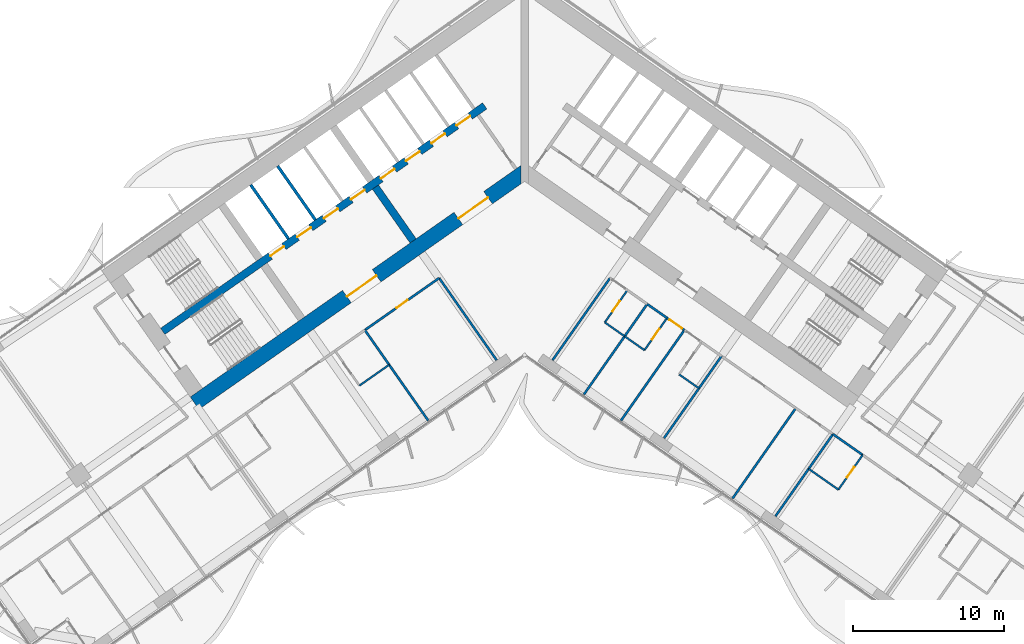
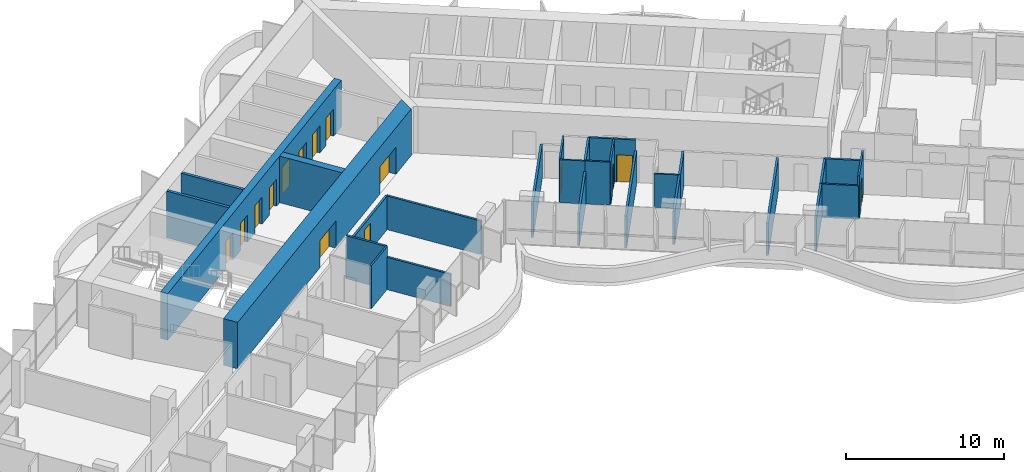
# One storey, part 13 of 23: 29 walls, 15 doors, 15 openings.
"""IFC4 building model written with IfcOpenShell, lengths in metres."""

from ifc_helpers import new_model, si_unit, direction, frame, frame_2d, origin, place, context, subcontext, project, spatial, polyline, rectangle, outline, extrude, material, layer, layer_set, type_object, element, fill, save


model = new_model("IFC4")

# Units and contexts
model_context = context("Model", 3, precision=1e-05, world=origin(), true_north=direction((0.0, 1.0)))
body_context = subcontext(model_context, "Body", "Model", "MODEL_VIEW")
ifc_project = project(units=[si_unit("LENGTHUNIT", "METRE"), si_unit("AREAUNIT", "SQUARE_METRE"), si_unit("VOLUMEUNIT", "CUBIC_METRE"), si_unit("PLANEANGLEUNIT", "RADIAN"), si_unit("MASSUNIT", "GRAM", prefix="KILO")], contexts=[model_context])

# Site, building, storey
site_placement = place(None, origin())
site = spatial("IfcSite", under=ifc_project, at=site_placement, CompositionType="ELEMENT")
building_placement = place(site_placement, origin())
building = spatial("IfcBuilding", under=site, at=building_placement, Name="Tel Ilan Convention Tower", CompositionType="ELEMENT")
storey_placement = place(building_placement, frame((0.0, 0.0, 115.699951171875)))
storey = spatial("IfcBuildingStorey", under=building, at=storey_placement, Name="L25", CompositionType="ELEMENT", Elevation=115.699951171875)

# Wall, openings, doors
ifc_material_1 = material(Name="Concrete C60/75", Category="concrete")
ifc_layer_1 = layer(ifc_material_1, 1.0)
ifc_layer_set_1 = layer_set([ifc_layer_1], Name="Core Shear Wall 1000 mm C60/75")
wall_type_1 = type_object("IfcWallType", Name="Core Shear Wall 1000 mm C60/75", PredefinedType="SHEAR", material=ifc_layer_set_1)
wall_1_placement = place(storey_placement, frame((0.036865234375, -0.584716796875, 0.0), z_axis=(0.0, 0.0, 1.0), x_axis=(-0.819157152511, -0.573569140985, 0.0)))
wall_1 = element("IfcWall", 1, at=wall_1_placement, inside=storey, type_object=wall_type_1, Name="L25 core wall W-front", PredefinedType="SHEAR", context=body_context, shape_type="SweptSolid", body=[
    extrude(outline(polyline([(26.69482421875, 0.500244140625), (0.7001953125, 0.499755859375), (0.0, -0.5), (26.69482421875, -0.499755859375), (26.69482421875, 0.500244140625)])), origin(), (0.0, 0.0, 1.0), 3.60009765625),
])
opening_1_placement = place(wall_1_placement, frame((2.994873046875, 0.0, 0.0)))
opening_1 = element("IfcOpeningElement", 2, at=opening_1_placement, cuts=wall_1, Name="Opening CD2005", PredefinedType="OPENING", context=body_context, shape_type="SweptSolid", body=[
    extrude(rectangle(XDim=2.39990234375, YDim=2.10009765625, at=frame_2d((1.199951171875, 1.050048828125))), frame((0.0, 0.510009765625, 0.0), z_axis=(0.0, -1.0, 0.0), x_axis=(1.0, 0.0, 0.0)), (0.0, 0.0, 1.0), 1.02001953125),
])
opening_2_placement = place(wall_1_placement, frame((11.994873046875, 0.0, 0.0)))
opening_2 = element("IfcOpeningElement", 3, at=opening_2_placement, cuts=wall_1, Name="Opening CD2006", PredefinedType="OPENING", context=body_context, shape_type="SweptSolid", body=[
    extrude(rectangle(XDim=2.39990234375, YDim=2.10009765625, at=frame_2d((1.199951171875, 1.050048828125))), frame((0.0, 0.510009765625, 0.0), z_axis=(0.0, -1.0, 0.0), x_axis=(1.0, 0.0, 0.0)), (0.0, 0.0, 1.0), 1.02001953125),
])
ifc_material_2 = material(Name="Glazed Aluminium Door Leaf", Category="aluminium")
door_type_1 = type_object("IfcDoorType", Name="Lobby Opening Door 2400 x 2100 FD60S", OperationType="NOTDEFINED", PredefinedType="DOOR", material=ifc_material_2)
door_1_placement = place(opening_1_placement, origin())
door_1 = element("IfcDoor", 4, at=door_1_placement, inside=storey, type_object=door_type_1, Name="Lift Lobby LR1-LR4 opening", OperationType="DOUBLE_DOOR_SINGLE_SWING", OverallHeight=2.10009765625, OverallWidth=2.39990234375, PredefinedType="DOOR", context=body_context, shape_type="SweptSolid", body=[
    extrude(rectangle(XDim=2.39990234375, YDim=2.10009765625, at=frame_2d((1.199951171875, 1.050048828125))), frame((0.0, 0.02490234375, 0.0), z_axis=(0.0, -1.0, 0.0), x_axis=(1.0, 0.0, 0.0)), (0.0, 0.0, 1.0), 0.050048828125),
])
fill(opening_1, door_1)
door_2_placement = place(opening_2_placement, origin())
door_2 = element("IfcDoor", 5, at=door_2_placement, inside=storey, type_object=door_type_1, Name="Lift Lobby LR5-LR8 opening", OperationType="DOUBLE_DOOR_SINGLE_SWING", OverallHeight=2.10009765625, OverallWidth=2.39990234375, PredefinedType="DOOR", context=body_context, shape_type="SweptSolid", body=[
    extrude(rectangle(XDim=2.39990234375, YDim=2.10009765625, at=frame_2d((1.199951171875, 1.050048828125))), frame((0.0, 0.02490234375, 0.0), z_axis=(0.0, -1.0, 0.0), x_axis=(1.0, 0.0, 0.0)), (0.0, 0.0, 1.0), 0.050048828125),
])
fill(opening_2, door_2)

# Wall
ifc_material_3 = material(Name="Concrete C60/75", Category="concrete")
ifc_layer_2 = layer(ifc_material_3, 0.5)
ifc_layer_set_2 = layer_set([ifc_layer_2], Name="Core Shear Wall 500 mm C60/75")
wall_type_2 = type_object("IfcWallType", Name="Core Shear Wall 500 mm C60/75", PredefinedType="SHEAR", material=ifc_layer_set_2)
wall_2_placement = place(storey_placement, frame((-7.372314453125, -5.162109375, 0.0), z_axis=(0.0, 0.0, 1.0), x_axis=(-0.573594173421, 0.819139624372, 0.0)))
element("IfcWall", 6, at=wall_2_placement, inside=storey, type_object=wall_type_2, Name="L25 core wall W-cross1-1", PredefinedType="SHEAR", context=body_context, shape_type="SweptSolid", body=[
    extrude(outline(polyline([(4.349853515625, 0.25), (0.0, 0.250244140625), (0.0, -0.25), (4.349853515625, -0.25), (4.349853515625, 0.25)])), origin(), (0.0, 0.0, 1.0), 3.60009765625),
])

# Wall, openings, doors
wall_3_placement = place(storey_placement, frame((-2.638427734375, 3.76806640625, 0.0), z_axis=(0.0, 0.0, 1.0), x_axis=(-0.819148977158, -0.573580816643, 0.0)))
wall_3 = element("IfcWall", 7, at=wall_3_placement, inside=storey, type_object=wall_type_2, Name="L25 core wall W-spine", PredefinedType="SHEAR", context=body_context, shape_type="SweptSolid", body=[
    extrude(outline(polyline([(26.0, 0.249755859375), (0.0, 0.25), (0.0, -0.25), (26.0, -0.250244140625), (26.0, 0.249755859375)])), origin(), (0.0, 0.0, 1.0), 3.60009765625),
])
opening_3_placement = place(wall_3_placement, frame((1.168701171875, 0.0, 0.0)))
opening_3 = element("IfcOpeningElement", 8, at=opening_3_placement, cuts=wall_3, Name="Opening LD2004", PredefinedType="OPENING", context=body_context, shape_type="SweptSolid", body=[
    extrude(rectangle(XDim=1.10009765625, YDim=2.10009765625, at=frame_2d((0.550048828125, 1.050048828125))), frame((0.0, 0.260009765625, 0.0), z_axis=(0.0, -1.0, 0.0), x_axis=(1.0, 0.0, 0.0)), (0.0, 0.0, 1.0), 0.52001953125),
])
opening_4_placement = place(wall_3_placement, frame((3.206298828125, 0.0, 0.0)))
opening_4 = element("IfcOpeningElement", 9, at=opening_4_placement, cuts=wall_3, Name="Opening LD2005", PredefinedType="OPENING", context=body_context, shape_type="SweptSolid", body=[
    extrude(rectangle(XDim=1.10009765625, YDim=2.10009765625, at=frame_2d((0.550048828125, 1.050048828125))), frame((0.0, 0.260009765625, 0.0), z_axis=(0.0, -1.0, 0.0), x_axis=(1.0, 0.0, 0.0)), (0.0, 0.0, 1.0), 0.52001953125),
])
opening_5_placement = place(wall_3_placement, frame((5.24365234375, 0.0, 0.0)))
opening_5 = element("IfcOpeningElement", 10, at=opening_5_placement, cuts=wall_3, Name="Opening LD2006", PredefinedType="OPENING", context=body_context, shape_type="SweptSolid", body=[
    extrude(rectangle(XDim=1.10009765625, YDim=2.10009765625, at=frame_2d((0.550048828125, 1.050048828125))), frame((0.0, 0.260009765625, 0.0), z_axis=(0.0, -1.0, 0.0), x_axis=(1.0, 0.0, 0.0)), (0.0, 0.0, 1.0), 0.52001953125),
])
opening_6_placement = place(wall_3_placement, frame((7.28125, 0.0, 0.0)))
opening_6 = element("IfcOpeningElement", 11, at=opening_6_placement, cuts=wall_3, Name="Opening LD2007", PredefinedType="OPENING", context=body_context, shape_type="SweptSolid", body=[
    extrude(rectangle(XDim=1.10009765625, YDim=2.10009765625, at=frame_2d((0.550048828125, 1.050048828125))), frame((0.0, 0.260009765625, 0.0), z_axis=(0.0, -1.0, 0.0), x_axis=(1.0, 0.0, 0.0)), (0.0, 0.0, 1.0), 0.52001953125),
])
opening_7_placement = place(wall_3_placement, frame((9.6875, 0.0, 0.0)))
opening_7 = element("IfcOpeningElement", 12, at=opening_7_placement, cuts=wall_3, Name="Opening LD2008", PredefinedType="OPENING", context=body_context, shape_type="SweptSolid", body=[
    extrude(rectangle(XDim=1.10009765625, YDim=2.10009765625, at=frame_2d((0.550048828125, 1.050048828125))), frame((0.0, 0.260009765625, 0.0), z_axis=(0.0, -1.0, 0.0), x_axis=(1.0, 0.0, 0.0)), (0.0, 0.0, 1.0), 0.52001953125),
])
opening_8_placement = place(wall_3_placement, frame((11.862548828125, 0.0, 0.0)))
opening_8 = element("IfcOpeningElement", 13, at=opening_8_placement, cuts=wall_3, Name="Opening LD2009", PredefinedType="OPENING", context=body_context, shape_type="SweptSolid", body=[
    extrude(rectangle(XDim=1.10009765625, YDim=2.10009765625, at=frame_2d((0.550048828125, 1.050048828125))), frame((0.0, 0.260009765625, 0.0), z_axis=(0.0, -1.0, 0.0), x_axis=(1.0, 0.0, 0.0)), (0.0, 0.0, 1.0), 0.52001953125),
])
opening_9_placement = place(wall_3_placement, frame((14.03759765625, 0.0, 0.0)))
opening_9 = element("IfcOpeningElement", 14, at=opening_9_placement, cuts=wall_3, Name="Opening LD2010", PredefinedType="OPENING", context=body_context, shape_type="SweptSolid", body=[
    extrude(rectangle(XDim=1.10009765625, YDim=2.10009765625, at=frame_2d((0.550048828125, 1.050048828125))), frame((0.0, 0.260009765625, 0.0), z_axis=(0.0, -1.0, 0.0), x_axis=(1.0, 0.0, 0.0)), (0.0, 0.0, 1.0), 0.52001953125),
])
opening_10_placement = place(wall_3_placement, frame((16.21240234375, 0.0, 0.0)))
opening_10 = element("IfcOpeningElement", 15, at=opening_10_placement, cuts=wall_3, Name="Opening LD2011", PredefinedType="OPENING", context=body_context, shape_type="SweptSolid", body=[
    extrude(rectangle(XDim=1.10009765625, YDim=2.10009765625, at=frame_2d((0.550048828125, 1.050048828125))), frame((0.0, 0.260009765625, 0.0), z_axis=(0.0, -1.0, 0.0), x_axis=(1.0, 0.0, 0.0)), (0.0, 0.0, 1.0), 0.52001953125),
])
ifc_material_4 = material(Name="Stainless Steel Sliding Door Leaf", Category="steel")
door_type_2 = type_object("IfcDoorType", Name="Lift Landing Door 1100 x 2100 FD120", OperationType="NOTDEFINED", PredefinedType="DOOR", material=ifc_material_4)
door_3_placement = place(opening_3_placement, origin())
door_3 = element("IfcDoor", 16, at=door_3_placement, inside=storey, type_object=door_type_2, Name="Lift LR1 landing door", OperationType="SLIDING_TO_LEFT", OverallHeight=2.10009765625, OverallWidth=1.10009765625, PredefinedType="DOOR", context=body_context, shape_type="SweptSolid", body=[
    extrude(rectangle(XDim=1.10009765625, YDim=2.10009765625, at=frame_2d((0.550048828125, 1.050048828125))), frame((0.0, 0.02490234375, 0.0), z_axis=(0.0, -1.0, 0.0), x_axis=(1.0, 0.0, 0.0)), (0.0, 0.0, 1.0), 0.050048828125),
])
fill(opening_3, door_3)
door_4_placement = place(opening_4_placement, origin())
door_4 = element("IfcDoor", 17, at=door_4_placement, inside=storey, type_object=door_type_2, Name="Lift LR2 landing door", OperationType="SLIDING_TO_RIGHT", OverallHeight=2.10009765625, OverallWidth=1.10009765625, PredefinedType="DOOR", context=body_context, shape_type="SweptSolid", body=[
    extrude(rectangle(XDim=1.10009765625, YDim=2.10009765625, at=frame_2d((0.550048828125, 1.050048828125))), frame((0.0, 0.02490234375, 0.0), z_axis=(0.0, -1.0, 0.0), x_axis=(1.0, 0.0, 0.0)), (0.0, 0.0, 1.0), 0.050048828125),
])
fill(opening_4, door_4)
door_5_placement = place(opening_5_placement, origin())
door_5 = element("IfcDoor", 18, at=door_5_placement, inside=storey, type_object=door_type_2, Name="Lift LR3 landing door", OperationType="SLIDING_TO_LEFT", OverallHeight=2.10009765625, OverallWidth=1.10009765625, PredefinedType="DOOR", context=body_context, shape_type="SweptSolid", body=[
    extrude(rectangle(XDim=1.10009765625, YDim=2.10009765625, at=frame_2d((0.550048828125, 1.050048828125))), frame((0.0, 0.02490234375, 0.0), z_axis=(0.0, -1.0, 0.0), x_axis=(1.0, 0.0, 0.0)), (0.0, 0.0, 1.0), 0.050048828125),
])
fill(opening_5, door_5)
door_6_placement = place(opening_6_placement, origin())
door_6 = element("IfcDoor", 19, at=door_6_placement, inside=storey, type_object=door_type_2, Name="Lift LR4 landing door", OperationType="SLIDING_TO_RIGHT", OverallHeight=2.10009765625, OverallWidth=1.10009765625, PredefinedType="DOOR", context=body_context, shape_type="SweptSolid", body=[
    extrude(rectangle(XDim=1.10009765625, YDim=2.10009765625, at=frame_2d((0.550048828125, 1.050048828125))), frame((0.0, 0.02490234375, 0.0), z_axis=(0.0, -1.0, 0.0), x_axis=(1.0, 0.0, 0.0)), (0.0, 0.0, 1.0), 0.050048828125),
])
fill(opening_6, door_6)
door_7_placement = place(opening_7_placement, origin())
door_7 = element("IfcDoor", 20, at=door_7_placement, inside=storey, type_object=door_type_2, Name="Lift LR5 landing door", OperationType="SLIDING_TO_LEFT", OverallHeight=2.10009765625, OverallWidth=1.10009765625, PredefinedType="DOOR", context=body_context, shape_type="SweptSolid", body=[
    extrude(rectangle(XDim=1.10009765625, YDim=2.10009765625, at=frame_2d((0.550048828125, 1.050048828125))), frame((0.0, 0.02490234375, 0.0), z_axis=(0.0, -1.0, 0.0), x_axis=(1.0, 0.0, 0.0)), (0.0, 0.0, 1.0), 0.050048828125),
])
fill(opening_7, door_7)
door_8_placement = place(opening_8_placement, origin())
door_8 = element("IfcDoor", 21, at=door_8_placement, inside=storey, type_object=door_type_2, Name="Lift LR6 landing door", OperationType="SLIDING_TO_RIGHT", OverallHeight=2.10009765625, OverallWidth=1.10009765625, PredefinedType="DOOR", context=body_context, shape_type="SweptSolid", body=[
    extrude(rectangle(XDim=1.10009765625, YDim=2.10009765625, at=frame_2d((0.550048828125, 1.050048828125))), frame((0.0, 0.02490234375, 0.0), z_axis=(0.0, -1.0, 0.0), x_axis=(1.0, 0.0, 0.0)), (0.0, 0.0, 1.0), 0.050048828125),
])
fill(opening_8, door_8)
door_9_placement = place(opening_9_placement, origin())
door_9 = element("IfcDoor", 22, at=door_9_placement, inside=storey, type_object=door_type_2, Name="Lift LR7 landing door", OperationType="SLIDING_TO_LEFT", OverallHeight=2.10009765625, OverallWidth=1.10009765625, PredefinedType="DOOR", context=body_context, shape_type="SweptSolid", body=[
    extrude(rectangle(XDim=1.10009765625, YDim=2.10009765625, at=frame_2d((0.550048828125, 1.050048828125))), frame((0.0, 0.02490234375, 0.0), z_axis=(0.0, -1.0, 0.0), x_axis=(1.0, 0.0, 0.0)), (0.0, 0.0, 1.0), 0.050048828125),
])
fill(opening_9, door_9)
door_10_placement = place(opening_10_placement, origin())
door_10 = element("IfcDoor", 23, at=door_10_placement, inside=storey, type_object=door_type_2, Name="Lift LR8 landing door", OperationType="SLIDING_TO_RIGHT", OverallHeight=2.10009765625, OverallWidth=1.10009765625, PredefinedType="DOOR", context=body_context, shape_type="SweptSolid", body=[
    extrude(rectangle(XDim=1.10009765625, YDim=2.10009765625, at=frame_2d((0.550048828125, 1.050048828125))), frame((0.0, 0.02490234375, 0.0), z_axis=(0.0, -1.0, 0.0), x_axis=(1.0, 0.0, 0.0)), (0.0, 0.0, 1.0), 0.050048828125),
])
fill(opening_10, door_10)

# Wall, opening, door
ifc_material_5 = material(Name="Plasterboard on Steel Studs", Category="steel")
ifc_layer_3 = layer(ifc_material_5, 0.14990234375)
ifc_layer_set_3 = layer_set([ifc_layer_3], Name="Fire-rated Partition 150 EI 60")
wall_type_3 = type_object("IfcWallType", Name="Fire-rated Partition 150 EI 60", PredefinedType="PARTITIONING", material=ifc_layer_set_3)
wall_4_placement = place(storey_placement, frame((10.568115234375, -11.062255859375, 0.0), z_axis=(0.0, 0.0, 1.0), x_axis=(-0.81914197737, 0.573590813132, 0.0)))
wall_4 = element("IfcWall", 24, at=wall_4_placement, inside=storey, type_object=wall_type_3, Name="Partition 009", PredefinedType="PARTITIONING", context=body_context, shape_type="SweptSolid", body=[
    extrude(rectangle(XDim=1.40283203125, YDim=0.14990234375, at=frame_2d((0.701416015625, 0.0))), origin(), (0.0, 0.0, 1.0), 3.320068359375),
])
opening_11_placement = place(wall_4_placement, frame((0.201904296875, 0.0, 0.0)))
opening_11 = element("IfcOpeningElement", 25, at=opening_11_placement, cuts=wall_4, Name="Opening L24-016", PredefinedType="OPENING", context=body_context, shape_type="SweptSolid", body=[
    extrude(rectangle(XDim=1.0, YDim=2.10009765625, at=frame_2d((0.5, 1.050048828125))), frame((0.0, 0.0849609375, 0.0), z_axis=(0.0, -1.0, 0.0), x_axis=(1.0, 0.0, 0.0)), (0.0, 0.0, 1.0), 0.169921875),
])
ifc_material_6 = material(Name="Timber Door Leaf in Steel Frame", Category="steel")
door_type_3 = type_object("IfcDoorType", Name="Hotel Room Entrance Fire Door 1000x2100", OperationType="NOTDEFINED", PredefinedType="DOOR", material=ifc_material_6)
door_11_placement = place(opening_11_placement, origin())
door_11 = element("IfcDoor", 26, at=door_11_placement, inside=storey, type_object=door_type_3, Name="Door L24-016", OperationType="SINGLE_SWING_LEFT", OverallHeight=2.10009765625, OverallWidth=1.0, PredefinedType="DOOR", context=body_context, shape_type="SweptSolid", body=[
    extrude(rectangle(XDim=1.0, YDim=2.10009765625, at=frame_2d((0.5, 1.050048828125))), frame((0.0, 0.02490234375, 0.0), z_axis=(0.0, -1.0, 0.0), x_axis=(1.0, 0.0, 0.0)), (0.0, 0.0, 1.0), 0.050048828125),
])
fill(opening_11, door_11)

# Walls
wall_5_placement = place(storey_placement, frame((9.42138671875, -10.25927734375, 0.0), z_axis=(0.0, 0.0, 1.0), x_axis=(-0.819117502046, 0.573625764625, 0.0)))
element("IfcWall", 27, at=wall_5_placement, inside=storey, type_object=wall_type_3, Name="Partition 010", PredefinedType="PARTITIONING", context=body_context, shape_type="SweptSolid", body=[
    extrude(rectangle(XDim=1.60400390625, YDim=0.14990234375, at=frame_2d((0.802001953125, 0.0))), origin(), (0.0, 0.0, 1.0), 3.320068359375),
])
wall_6_placement = place(storey_placement, frame((22.364013671875, -19.32177734375, 0.0), z_axis=(0.0, 0.0, 1.0), x_axis=(-0.819146032251, 0.573585022335, 0.0)))
element("IfcWall", 28, at=wall_6_placement, inside=storey, type_object=wall_type_3, Name="Partition 016", PredefinedType="PARTITIONING", context=body_context, shape_type="SweptSolid", body=[
    extrude(rectangle(XDim=2.404052734375, YDim=0.14990234375, at=frame_2d((1.2021484375, 0.0))), origin(), (0.0, 0.0, 1.0), 2.60009765625),
])

# Wall, opening, door
wall_7_placement = place(storey_placement, frame((-5.651611328125, -7.61962890625, 0.0), z_axis=(0.0, 0.0, 1.0), x_axis=(-0.819147828287, -0.573582457378, 0.0)))
wall_7 = element("IfcWall", 29, at=wall_7_placement, inside=storey, type_object=wall_type_3, Name="Partition 023", PredefinedType="PARTITIONING", context=body_context, shape_type="SweptSolid", body=[
    extrude(rectangle(XDim=6.001953125, YDim=0.14990234375, at=frame_2d((3.0009765625, 0.0))), origin(), (0.0, 0.0, 1.0), 2.60009765625),
])
opening_12_placement = place(wall_7_placement, frame((2.551025390625, 0.0, 0.0)))
opening_12 = element("IfcOpeningElement", 30, at=opening_12_placement, cuts=wall_7, Name="Opening L24-001", PredefinedType="OPENING", context=body_context, shape_type="SweptSolid", body=[
    extrude(rectangle(XDim=0.89990234375, YDim=2.10009765625, at=frame_2d((0.449951171875, 1.050048828125))), frame((0.0, 0.0849609375, 0.0), z_axis=(0.0, -1.0, 0.0), x_axis=(1.0, 0.0, 0.0)), (0.0, 0.0, 1.0), 0.169921875),
])
ifc_material_7 = material(Name="Timber Door Leaf in Steel Frame", Category="steel")
door_type_4 = type_object("IfcDoorType", Name="Room Fire Door 900x2100", OperationType="NOTDEFINED", PredefinedType="DOOR", material=ifc_material_7)
door_12_placement = place(opening_12_placement, origin())
door_12 = element("IfcDoor", 31, at=door_12_placement, inside=storey, type_object=door_type_4, Name="Door L24-001", OperationType="SINGLE_SWING_LEFT", OverallHeight=2.10009765625, OverallWidth=0.89990234375, PredefinedType="DOOR", context=body_context, shape_type="SweptSolid", body=[
    extrude(rectangle(XDim=0.89990234375, YDim=2.10009765625, at=frame_2d((0.449951171875, 1.050048828125))), frame((0.0, 0.02490234375, 0.0), z_axis=(0.0, -1.0, 0.0), x_axis=(1.0, 0.0, 0.0)), (0.0, 0.0, 1.0), 0.050048828125),
])
fill(opening_12, door_12)

# Walls
wall_8_placement = place(storey_placement, frame((6.6171875, -11.470947265625, 0.0), z_axis=(0.0, 0.0, 1.0), x_axis=(-0.573535567792, -0.819180659243, 0.0)))
element("IfcWall", 32, at=wall_8_placement, inside=storey, type_object=wall_type_3, Name="Partition 048", PredefinedType="PARTITIONING", context=body_context, shape_type="SweptSolid", body=[
    extrude(rectangle(XDim=4.698974609375, YDim=0.14990234375, at=frame_2d((2.349609375, 0.0))), origin(), (0.0, 0.0, 1.0), 2.5),
])
wall_9_placement = place(storey_placement, frame((1.848876953125, -13.050537109375, 0.0), z_axis=(0.0, 0.0, 1.0), x_axis=(0.57357355307, 0.819154063177, 0.0)))
element("IfcWall", 33, at=wall_9_placement, inside=storey, type_object=wall_type_3, Name="Partition 049", PredefinedType="PARTITIONING", context=body_context, shape_type="SweptSolid", body=[
    extrude(rectangle(XDim=6.6298828125, YDim=0.14990234375, at=frame_2d((3.31494140625, 0.0))), origin(), (0.0, 0.0, 1.0), 2.60009765625),
])
wall_10_placement = place(storey_placement, frame((8.109130859375, -9.34033203125, 0.0), z_axis=(0.0, 0.0, 1.0), x_axis=(-0.573537965655, -0.819178980414, 0.0)))
element("IfcWall", 34, at=wall_10_placement, inside=storey, type_object=wall_type_3, Name="Partition 050", PredefinedType="PARTITIONING", context=body_context, shape_type="SweptSolid", body=[
    extrude(rectangle(XDim=2.60009765625, YDim=0.14990234375, at=frame_2d((1.300048828125, 0.0))), origin(), (0.0, 0.0, 1.0), 3.320068359375),
])
wall_11_placement = place(storey_placement, frame((10.566650390625, -11.06103515625, 0.0), z_axis=(0.0, 0.0, 1.0), x_axis=(-0.573579051994, -0.81915021279, 0.0)))
element("IfcWall", 35, at=wall_11_placement, inside=storey, type_object=wall_type_3, Name="Partition 053", PredefinedType="PARTITIONING", context=body_context, shape_type="SweptSolid", body=[
    extrude(rectangle(XDim=7.30029296875, YDim=0.14990234375, at=frame_2d((3.650146484375, 0.0))), origin(), (0.0, 0.0, 1.0), 2.5),
])
wall_12_placement = place(storey_placement, frame((11.531982421875, -14.912353515625, 0.0), z_axis=(0.0, 0.0, 1.0), x_axis=(-0.573531477532, -0.819183522954, 0.0)))
element("IfcWall", 36, at=wall_12_placement, inside=storey, type_object=wall_type_3, Name="Partition 056", PredefinedType="PARTITIONING", context=body_context, shape_type="SweptSolid", body=[
    extrude(rectangle(XDim=4.029052734375, YDim=0.14990234375, at=frame_2d((2.0146484375, 0.0))), origin(), (0.0, 0.0, 1.0), 2.60009765625),
])
wall_13_placement = place(storey_placement, frame((13.02392578125, -12.78173828125, 0.0), z_axis=(0.0, 0.0, 1.0), x_axis=(-0.573537965655, -0.819178980414, 0.0)))
element("IfcWall", 37, at=wall_13_placement, inside=storey, type_object=wall_type_3, Name="Partition 057", PredefinedType="PARTITIONING", context=body_context, shape_type="SweptSolid", body=[
    extrude(rectangle(XDim=2.60009765625, YDim=0.14990234375, at=frame_2d((1.300048828125, 0.0))), origin(), (0.0, 0.0, 1.0), 2.60009765625),
])
wall_14_placement = place(storey_placement, frame((17.93896484375, -16.223388671875, 0.0), z_axis=(0.0, 0.0, 1.0), x_axis=(-0.573594765376, -0.819139209862, 0.0)))
element("IfcWall", 38, at=wall_14_placement, inside=storey, type_object=wall_type_3, Name="Partition 058", PredefinedType="PARTITIONING", context=body_context, shape_type="SweptSolid", body=[
    extrude(rectangle(XDim=7.300048828125, YDim=0.14990234375, at=frame_2d((3.64990234375, 0.0))), origin(), (0.0, 0.0, 1.0), 2.5),
])
wall_15_placement = place(storey_placement, frame((18.791015625, -20.23681640625, 0.0), z_axis=(0.0, 0.0, 1.0), x_axis=(-0.57359919792, -0.819136105995, 0.0)))
element("IfcWall", 39, at=wall_15_placement, inside=storey, type_object=wall_type_3, Name="Partition 059", PredefinedType="PARTITIONING", context=body_context, shape_type="SweptSolid", body=[
    extrude(rectangle(XDim=3.8310546875, YDim=0.14990234375, at=frame_2d((1.91552734375, 0.0))), origin(), (0.0, 0.0, 1.0), 2.60009765625),
])
wall_16_placement = place(storey_placement, frame((20.396484375, -17.944091796875, 0.0), z_axis=(0.0, 0.0, 1.0), x_axis=(-0.573596837309, -0.819137759006, 0.0)))
element("IfcWall", 40, at=wall_16_placement, inside=storey, type_object=wall_type_3, Name="Partition 060", PredefinedType="PARTITIONING", context=body_context, shape_type="SweptSolid", body=[
    extrude(rectangle(XDim=2.802001953125, YDim=0.14990234375, at=frame_2d((1.40087890625, 0.0))), origin(), (0.0, 0.0, 1.0), 2.60009765625),
])
wall_17_placement = place(storey_placement, frame((-1.848876953125, -13.050537109375, 0.0), z_axis=(0.0, 0.0, 1.0), x_axis=(-0.573575988258, 0.819152358047, 0.0)))
element("IfcWall", 41, at=wall_17_placement, inside=storey, type_object=wall_type_3, Name="Partition 070", PredefinedType="PARTITIONING", context=body_context, shape_type="SweptSolid", body=[
    extrude(rectangle(XDim=6.632080078125, YDim=0.14990234375, at=frame_2d((3.31591796875, 0.0))), origin(), (0.0, 0.0, 1.0), 2.60009765625),
])
wall_18_placement = place(storey_placement, frame((-6.37939453125, -17.041015625, 0.0), z_axis=(0.0, 0.0, 1.0), x_axis=(-0.573593387921, 0.81914017441, 0.0)))
element("IfcWall", 42, at=wall_18_placement, inside=storey, type_object=wall_type_3, Name="Partition 076", PredefinedType="PARTITIONING", context=body_context, shape_type="SweptSolid", body=[
    extrude(rectangle(XDim=4.5009765625, YDim=0.14990234375, at=frame_2d((2.25048828125, 0.0))), origin(), (0.0, 0.0, 1.0), 2.5),
])
wall_19_placement = place(storey_placement, frame((-8.95947265625, -13.3564453125, 0.0), z_axis=(0.0, 0.0, 1.0), x_axis=(-0.573555899632, 0.819166423871, 0.0)))
element("IfcWall", 43, at=wall_19_placement, inside=storey, type_object=wall_type_3, Name="Partition 077", PredefinedType="PARTITIONING", context=body_context, shape_type="SweptSolid", body=[
    extrude(rectangle(XDim=2.80224609375, YDim=0.14990234375, at=frame_2d((1.401123046875, 0.0))), origin(), (0.0, 0.0, 1.0), 3.320068359375),
])
ifc_material_8 = material(Name="Concrete C30/37", Category="concrete")
ifc_layer_4 = layer(ifc_material_8, 0.199951171875)
ifc_layer_set_4 = layer_set([ifc_layer_4], Name="Lift Shaft Wall 200 mm C30/37")
wall_type_4 = type_object("IfcWallType", Name="Lift Shaft Wall 200 mm C30/37", PredefinedType="SOLIDWALL", material=ifc_layer_set_4)
wall_20_placement = place(storey_placement, frame((-13.84033203125, -3.7705078125, 0.0), z_axis=(0.0, 0.0, 1.0), x_axis=(-0.57356780395, 0.819158088694, 0.0)))
element("IfcWall", 44, at=wall_20_placement, inside=storey, type_object=wall_type_4, Name="L25 core wall bank-W2-p1", PredefinedType="SOLIDWALL", context=body_context, shape_type="SweptSolid", body=[
    extrude(rectangle(XDim=4.35009765625, YDim=0.199951171875, at=frame_2d((2.175048828125, 0.0))), origin(), (0.0, 0.0, 1.0), 3.60009765625),
])
wall_21_placement = place(storey_placement, frame((-15.6220703125, -5.017822265625, 0.0), z_axis=(0.0, 0.0, 1.0), x_axis=(-0.573594173421, 0.819139624372, 0.0)))
element("IfcWall", 45, at=wall_21_placement, inside=storey, type_object=wall_type_4, Name="L25 core wall bank-W2-p2", PredefinedType="SOLIDWALL", context=body_context, shape_type="SweptSolid", body=[
    extrude(rectangle(XDim=4.349853515625, YDim=0.199951171875, at=frame_2d((2.1748046875, 0.0))), origin(), (0.0, 0.0, 1.0), 3.60009765625),
])

# Wall, opening, door
ifc_material_9 = material(Name="Plasterboard on Steel Studs", Category="steel")
ifc_layer_5 = layer(ifc_material_9, 0.1201171875)
ifc_layer_set_5 = layer_set([ifc_layer_5], Name="Moisture-resistant Partition 120")
wall_type_5 = type_object("IfcWallType", Name="Moisture-resistant Partition 120", PredefinedType="PARTITIONING", material=ifc_layer_set_5)
wall_22_placement = place(storey_placement, frame((6.797607421875, -8.422119140625, 0.0), z_axis=(0.0, 0.0, 1.0), x_axis=(-0.573537965655, -0.819178980414, 0.0)))
wall_22 = element("IfcWall", 46, at=wall_22_placement, inside=storey, type_object=wall_type_5, Name="Partition 046", PredefinedType="PARTITIONING", context=body_context, shape_type="SweptSolid", body=[
    extrude(rectangle(XDim=2.60009765625, YDim=0.1201171875, at=frame_2d((1.300048828125, 0.0))), origin(), (0.0, 0.0, 1.0), 3.320068359375),
])
opening_13_placement = place(wall_22_placement, frame((0.875, 0.0, 0.0)))
opening_13 = element("IfcOpeningElement", 47, at=opening_13_placement, cuts=wall_22, Name="Opening L24-013", PredefinedType="OPENING", context=body_context, shape_type="SweptSolid", body=[
    extrude(rectangle(XDim=0.85009765625, YDim=2.050048828125, at=frame_2d((0.425048828125, 1.02490234375))), frame((0.0, 0.070068359375, 0.0), z_axis=(0.0, -1.0, 0.0), x_axis=(1.0, 0.0, 0.0)), (0.0, 0.0, 1.0), 0.14013671875),
])
ifc_material_10 = material(Name="Timber Door Leaf in Steel Frame", Category="steel")
door_type_5 = type_object("IfcDoorType", Name="Bathroom Timber Door 850x2050", OperationType="NOTDEFINED", PredefinedType="DOOR", material=ifc_material_10)
door_13_placement = place(opening_13_placement, origin())
door_13 = element("IfcDoor", 48, at=door_13_placement, inside=storey, type_object=door_type_5, Name="Door L24-013", OperationType="SINGLE_SWING_RIGHT", OverallHeight=2.050048828125, OverallWidth=0.85009765625, PredefinedType="DOOR", context=body_context, shape_type="SweptSolid", body=[
    extrude(rectangle(XDim=0.85009765625, YDim=2.050048828125, at=frame_2d((0.425048828125, 1.02490234375))), frame((0.0, 0.02490234375, 0.0), z_axis=(0.0, -1.0, 0.0), x_axis=(1.0, 0.0, 0.0)), (0.0, 0.0, 1.0), 0.050048828125),
])
fill(opening_13, door_13)

# Walls
wall_23_placement = place(storey_placement, frame((5.306640625, -10.55322265625, 0.0), z_axis=(0.0, 0.0, 1.0), x_axis=(0.819131543282, -0.57360571371, 0.0)))
element("IfcWall", 49, at=wall_23_placement, inside=storey, type_object=wall_type_5, Name="Partition 047", PredefinedType="PARTITIONING", context=body_context, shape_type="SweptSolid", body=[
    extrude(rectangle(XDim=1.599853515625, YDim=0.1201171875, at=frame_2d((0.7998046875, 0.0))), origin(), (0.0, 0.0, 1.0), 3.320068359375),
])
wall_24_placement = place(storey_placement, frame((6.6171875, -11.470947265625, 0.0), z_axis=(0.0, 0.0, 1.0), x_axis=(0.81918174131, -0.573534022273, 0.0)))
element("IfcWall", 50, at=wall_24_placement, inside=storey, type_object=wall_type_5, Name="Partition 051", PredefinedType="PARTITIONING", context=body_context, shape_type="SweptSolid", body=[
    extrude(rectangle(XDim=1.60009765625, YDim=0.1201171875, at=frame_2d((0.800048828125, 0.0))), origin(), (0.0, 0.0, 1.0), 3.320068359375),
])

# Wall, opening, door
wall_25_placement = place(storey_placement, frame((7.92919921875, -12.388427734375, 0.0), z_axis=(0.0, 0.0, 1.0), x_axis=(0.573645091666, 0.819103967032, 0.0)))
wall_25 = element("IfcWall", 51, at=wall_25_placement, inside=storey, type_object=wall_type_5, Name="Partition 052", PredefinedType="PARTITIONING", context=body_context, shape_type="SweptSolid", body=[
    extrude(rectangle(XDim=2.599853515625, YDim=0.1201171875, at=frame_2d((1.2998046875, 0.0))), origin(), (0.0, 0.0, 1.0), 3.320068359375),
])
opening_14_placement = place(wall_25_placement, frame((0.875, 0.0, 0.0)))
opening_14 = element("IfcOpeningElement", 52, at=opening_14_placement, cuts=wall_25, Name="Opening L24-015", PredefinedType="OPENING", context=body_context, shape_type="SweptSolid", body=[
    extrude(rectangle(XDim=0.85009765625, YDim=2.050048828125, at=frame_2d((0.425048828125, 1.02490234375))), frame((0.0, 0.070068359375, 0.0), z_axis=(0.0, -1.0, 0.0), x_axis=(1.0, 0.0, 0.0)), (0.0, 0.0, 1.0), 0.14013671875),
])
door_14_placement = place(opening_14_placement, origin())
door_14 = element("IfcDoor", 53, at=door_14_placement, inside=storey, type_object=door_type_5, Name="Door L24-015", OperationType="SINGLE_SWING_RIGHT", OverallHeight=2.050048828125, OverallWidth=0.85009765625, PredefinedType="DOOR", context=body_context, shape_type="SweptSolid", body=[
    extrude(rectangle(XDim=0.85009765625, YDim=2.050048828125, at=frame_2d((0.425048828125, 1.02490234375))), frame((0.0, 0.02490234375, 0.0), z_axis=(0.0, -1.0, 0.0), x_axis=(1.0, 0.0, 0.0)), (0.0, 0.0, 1.0), 0.050048828125),
])
fill(opening_14, door_14)

# Walls
wall_26_placement = place(storey_placement, frame((10.221435546875, -13.99462890625, 0.0), z_axis=(0.0, 0.0, 1.0), x_axis=(0.819131543282, -0.57360571371, 0.0)))
element("IfcWall", 54, at=wall_26_placement, inside=storey, type_object=wall_type_5, Name="Partition 055", PredefinedType="PARTITIONING", context=body_context, shape_type="SweptSolid", body=[
    extrude(rectangle(XDim=1.599853515625, YDim=0.1201171875, at=frame_2d((0.7998046875, 0.0))), origin(), (0.0, 0.0, 1.0), 2.60009765625),
])
wall_27_placement = place(storey_placement, frame((18.789794921875, -20.238525390625, 0.0), z_axis=(0.0, 0.0, 1.0), x_axis=(0.819188907105, -0.573523787192, 0.0)))
element("IfcWall", 55, at=wall_27_placement, inside=storey, type_object=wall_type_5, Name="Partition 061", PredefinedType="PARTITIONING", context=body_context, shape_type="SweptSolid", body=[
    extrude(rectangle(XDim=2.39990234375, YDim=0.1201171875, at=frame_2d((1.199951171875, 0.0))), origin(), (0.0, 0.0, 1.0), 2.60009765625),
])

# Wall, opening, door
wall_28_placement = place(storey_placement, frame((20.757080078125, -21.61474609375, 0.0), z_axis=(0.0, 0.0, 1.0), x_axis=(0.57364959175, 0.819100815459, 0.0)))
wall_28 = element("IfcWall", 56, at=wall_28_placement, inside=storey, type_object=wall_type_5, Name="Partition 062", PredefinedType="PARTITIONING", context=body_context, shape_type="SweptSolid", body=[
    extrude(rectangle(XDim=2.800048828125, YDim=0.1201171875, at=frame_2d((1.39990234375, 0.0))), origin(), (0.0, 0.0, 1.0), 3.320068359375),
])
opening_15_placement = place(wall_28_placement, frame((0.97509765625, 0.0, 0.0)))
opening_15 = element("IfcOpeningElement", 57, at=opening_15_placement, cuts=wall_28, Name="Opening L24-021", PredefinedType="OPENING", context=body_context, shape_type="SweptSolid", body=[
    extrude(rectangle(XDim=0.85009765625, YDim=2.050048828125, at=frame_2d((0.425048828125, 1.02490234375))), frame((0.0, 0.070068359375, 0.0), z_axis=(0.0, -1.0, 0.0), x_axis=(1.0, 0.0, 0.0)), (0.0, 0.0, 1.0), 0.14013671875),
])
door_15_placement = place(opening_15_placement, origin())
door_15 = element("IfcDoor", 58, at=door_15_placement, inside=storey, type_object=door_type_5, Name="Door L24-021", OperationType="SINGLE_SWING_LEFT", OverallHeight=2.050048828125, OverallWidth=0.85009765625, PredefinedType="DOOR", context=body_context, shape_type="SweptSolid", body=[
    extrude(rectangle(XDim=0.85009765625, YDim=2.050048828125, at=frame_2d((0.425048828125, 1.02490234375))), frame((0.0, 0.02490234375, 0.0), z_axis=(0.0, -1.0, 0.0), x_axis=(1.0, 0.0, 0.0)), (0.0, 0.0, 1.0), 0.050048828125),
])
fill(opening_15, door_15)

# Wall
wall_29_placement = place(storey_placement, frame((-10.92578125, -14.732177734375, 0.0), z_axis=(0.0, 0.0, 1.0), x_axis=(0.819107643868, 0.573639841501, 0.0)))
element("IfcWall", 59, at=wall_29_placement, inside=storey, type_object=wall_type_5, Name="Partition 079", PredefinedType="PARTITIONING", context=body_context, shape_type="SweptSolid", body=[
    extrude(rectangle(XDim=2.39990234375, YDim=0.1201171875, at=frame_2d((1.199951171875, 0.0))), origin(), (0.0, 0.0, 1.0), 3.320068359375),
])

save(model, "model.ifc")
